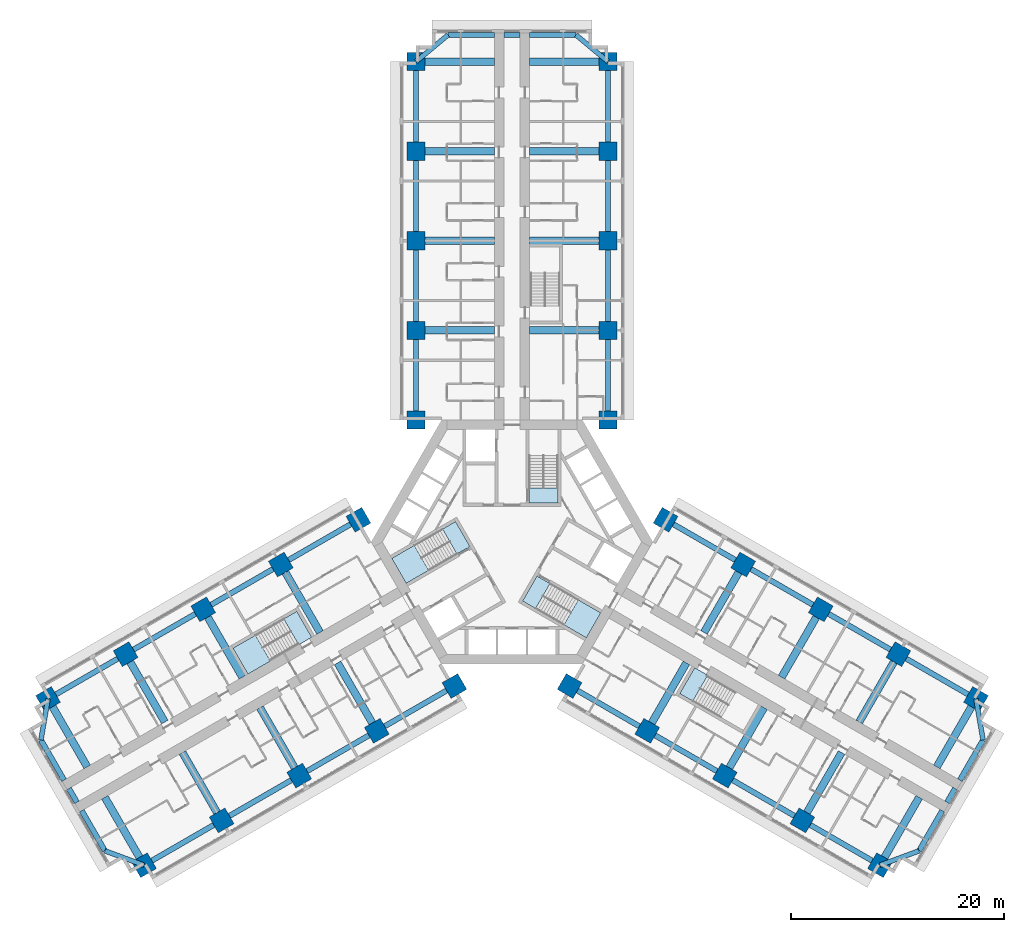
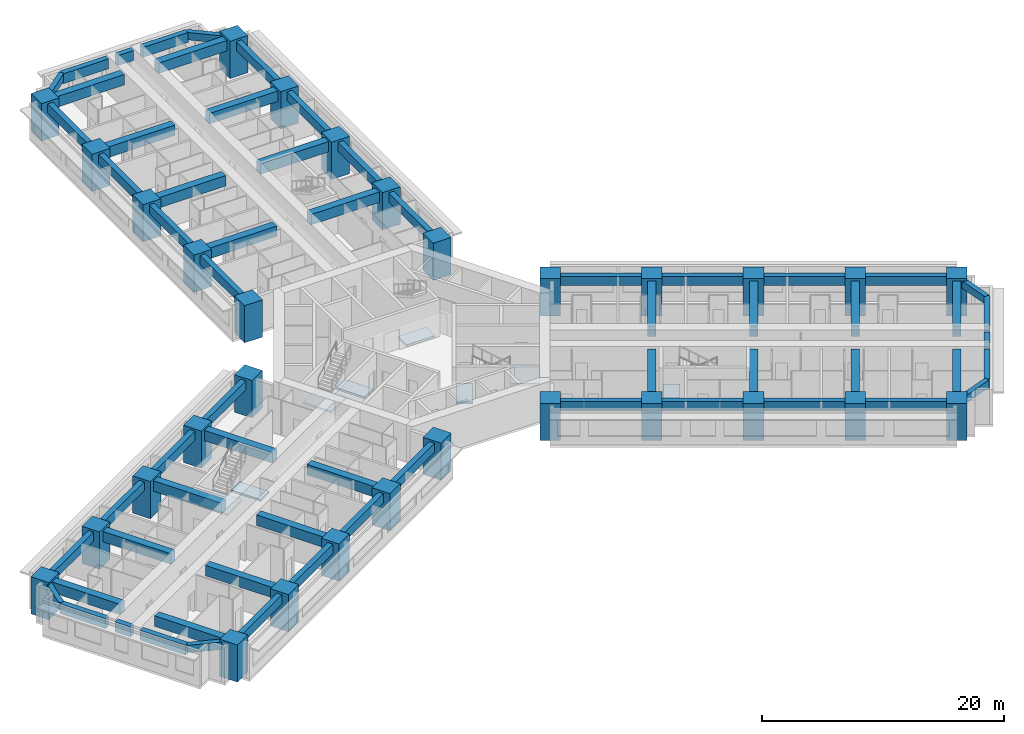
# One storey, part 1 of 17: 63 beams, 30 columns, 8 slabs, 5 elements without a shape of their own.
"""IFC4 building model written with IfcOpenShell, lengths in metres."""

from ifc_helpers import new_model, si_unit, direction, frame, origin, origin_2d, place, context, subcontext, project, spatial, polyline, rectangle, outline, extrude, material, layer, layer_set, material_profile, profile_set, type_object, element, aggregate, save


model = new_model("IFC4")

# Units and contexts
model_context = context("Model", 3, precision=1e-05, world=origin(), true_north=direction((0.0, 1.0)))
body_context = subcontext(model_context, "Body", "Model", "MODEL_VIEW")
ifc_project = project(units=[si_unit("LENGTHUNIT", "METRE"), si_unit("AREAUNIT", "SQUARE_METRE"), si_unit("VOLUMEUNIT", "CUBIC_METRE"), si_unit("PLANEANGLEUNIT", "RADIAN"), si_unit("MASSUNIT", "GRAM", prefix="KILO")], contexts=[model_context])

# Site, building, storey
site_placement = place(None, origin())
site = spatial("IfcSite", under=ifc_project, at=site_placement, CompositionType="ELEMENT")
building_placement = place(site_placement, origin())
building = spatial("IfcBuilding", under=site, at=building_placement, Name="Impinga Residences", CompositionType="ELEMENT")
storey_placement = place(building_placement, frame((0.0, 0.0, 33.5)))
storey = spatial("IfcBuildingStorey", under=building, at=storey_placement, Name="L07", CompositionType="ELEMENT", Elevation=33.5)

# Columns
ifc_material_1 = material(Name="Concrete C70/85", Category="concrete")
ifc_material_profile_1 = material_profile(ifc_material_1, rectangle(XDim=1.699951171875, YDim=1.699951171875, at=origin_2d()), Name="RC 1700x1700")
ifc_profile_set_1 = profile_set([ifc_material_profile_1], Name="Concrete C70/85")
column_type = type_object("IfcColumnType", Name="C10 1700x1700 column", PredefinedType="COLUMN", material=ifc_profile_set_1)
for number, where, z_axis, x_axis, name in (
    (1, (-9.0, 11.431640625, 0.0), (0.0, 0.0, 1.0), (1.0, 0.0, 0.0), "Column C10 N1/NA L07"),
    (2, (9.0, 11.431640625, 0.0), (0.0, 0.0, 1.0), (1.0, 0.0, 0.0), "Column C10 N1/NF L07"),
    (3, (-9.0, 19.83154296875, 0.0), (0.0, 0.0, 1.0), (1.0, 0.0, 0.0), "Column C10 N2/NA L07"),
    (4, (9.0, 19.83154296875, 0.0), (0.0, 0.0, 1.0), (1.0, 0.0, 0.0), "Column C10 N2/NF L07"),
    (5, (-9.0, 28.2314453125, 0.0), (0.0, 0.0, 1.0), (1.0, 0.0, 0.0), "Column C10 N3/NA L07"),
    (6, (9.0, 28.2314453125, 0.0), (0.0, 0.0, 1.0), (1.0, 0.0, 0.0), "Column C10 N3/NF L07"),
    (7, (-9.0, 36.631591796875, 0.0), (0.0, 0.0, 1.0), (1.0, 0.0, 0.0), "Column C10 N4/NA L07"),
    (8, (9.0, 36.631591796875, 0.0), (0.0, 0.0, 1.0), (1.0, 0.0, 0.0), "Column C10 N4/NF L07"),
    (9, (-9.0, 45.031494140625, 0.0), (0.0, 0.0, 1.0), (1.0, 0.0, 0.0), "Column C10 N5/NA L07"),
    (10, (9.0, 45.031494140625, 0.0), (0.0, 0.0, 1.0), (1.0, 0.0, 0.0), "Column C10 N5/NF L07"),
    (11, (-5.39990234375, -13.510009765625, 0.0), (0.0, 0.0, 1.0), (-0.5, 0.866025403784, 0.0), "Column C10 W1/WA L07"),
    (12, (-14.39990234375, 2.078369140625, 0.0), (0.0, 0.0, 1.0), (-0.5, 0.866025403784, 0.0), "Column C10 W1/WF L07"),
    (13, (-12.674560546875, -17.7099609375, 0.0), (0.0, 0.0, 1.0), (-0.5, 0.866025403784, 0.0), "Column C10 W2/WA L07"),
    (14, (-21.674560546875, -2.12158203125, 0.0), (0.0, 0.0, 1.0), (-0.5, 0.866025403784, 0.0), "Column C10 W2/WF L07"),
    (15, (-19.94921875, -21.909912109375, 0.0), (0.0, 0.0, 1.0), (-0.5, 0.866025403784, 0.0), "Column C10 W3/WA L07"),
    (16, (-28.94921875, -6.321533203125, 0.0), (0.0, 0.0, 1.0), (-0.5, 0.866025403784, 0.0), "Column C10 W3/WF L07"),
    (17, (-27.223876953125, -26.110107421875, 0.0), (0.0, 0.0, 1.0), (-0.5, 0.866025403784, 0.0), "Column C10 W4/WA L07"),
    (18, (-36.223876953125, -10.521484375, 0.0), (0.0, 0.0, 1.0), (-0.5, 0.866025403784, 0.0), "Column C10 W4/WF L07"),
    (19, (-34.49853515625, -30.31005859375, 0.0), (0.0, 0.0, 1.0), (-0.5, 0.866025403784, 0.0), "Column C10 W5/WA L07"),
    (20, (-43.49853515625, -14.721435546875, 0.0), (0.0, 0.0, 1.0), (-0.5, 0.866025403784, 0.0), "Column C10 W5/WF L07"),
    (21, (14.39990234375, 2.078369140625, 0.0), (0.0, 0.0, 1.0), (-0.5, -0.866025403784, 0.0), "Column C10 E1/EA L07"),
    (22, (5.39990234375, -13.510009765625, 0.0), (0.0, 0.0, 1.0), (-0.5, -0.866025403784, 0.0), "Column C10 E1/EF L07"),
    (23, (21.674560546875, -2.12158203125, 0.0), (0.0, 0.0, 1.0), (-0.5, -0.866025403784, 0.0), "Column C10 E2/EA L07"),
    (24, (12.674560546875, -17.7099609375, 0.0), (0.0, 0.0, 1.0), (-0.5, -0.866025403784, 0.0), "Column C10 E2/EF L07"),
    (25, (28.94921875, -6.321533203125, 0.0), (0.0, 0.0, 1.0), (-0.5, -0.866025403784, 0.0), "Column C10 E3/EA L07"),
    (26, (19.94921875, -21.909912109375, 0.0), (0.0, 0.0, 1.0), (-0.5, -0.866025403784, 0.0), "Column C10 E3/EF L07"),
    (27, (36.223876953125, -10.521484375, 0.0), (0.0, 0.0, 1.0), (-0.5, -0.866025403784, 0.0), "Column C10 E4/EA L07"),
    (28, (27.223876953125, -26.110107421875, 0.0), (0.0, 0.0, 1.0), (-0.5, -0.866025403784, 0.0), "Column C10 E4/EF L07"),
    (29, (43.49853515625, -14.721435546875, 0.0), (0.0, 0.0, 1.0), (-0.5, -0.866025403784, 0.0), "Column C10 E5/EA L07"),
    (30, (34.49853515625, -30.31005859375, 0.0), (0.0, 0.0, 1.0), (-0.5, -0.866025403784, 0.0), "Column C10 E5/EF L07"),
):
    element("IfcColumn", number, at=place(storey_placement, frame(where, z_axis=z_axis, x_axis=x_axis)), inside=storey, type_object=column_type, Name=name, PredefinedType="COLUMN", context=body_context, shape_type="SweptSolid", body=[
        extrude(rectangle(XDim=1.699951171875, YDim=1.699951171875, at=origin_2d()), origin(), (0.0, 0.0, 1.0), 3.75),
    ])

# Beams
ifc_material_2 = material(Name="Concrete C60/75", Category="concrete")
ifc_material_profile_2 = material_profile(ifc_material_2, rectangle(XDim=0.449951171875, YDim=0.75, at=origin_2d()), Name="RC 450x750")
ifc_profile_set_2 = profile_set([ifc_material_profile_2], Name="Concrete C60/75")
beam_type_1 = type_object("IfcBeamType", Name="CB1 450x750 wing end cantilever beam", PredefinedType="BEAM", material=ifc_profile_set_2)
for number, where, z_axis, x_axis, name in (
    (31, (-9.0, 45.031494140625, 3.155029296875), (0.768221279597, 0.640184399664, 0.0), (-0.640184399664, 0.768221279597, 0.0), "Beam CB1 NB N5-NX level L08"),
    (32, (9.0, 45.031494140625, 3.155029296875), (-0.768221279597, 0.640184399664, 0.0), (-0.640184399664, -0.768221279597, 0.0), "Beam CB1 NE N5-NX level L08"),
    (33, (-34.49853515625, -30.31005859375, 3.155029296875), (-0.938520178725, 0.345224382289, 0.0), (-0.345224382289, -0.938520178725, 0.0), "Beam CB1 WB W5-WX level L08"),
):
    element("IfcBeam", number, at=place(storey_placement, frame(where, z_axis=z_axis, x_axis=x_axis)), inside=storey, type_object=beam_type_1, Name=name, PredefinedType="BEAM", context=body_context, shape_type="SweptSolid", body=[
        extrude(rectangle(XDim=0.449951171875, YDim=0.75, at=origin_2d()), origin(), (0.0, 0.0, 1.0), 3.905029296875),
    ])
for number, where, z_axis, x_axis, name in (
    (34, (-43.49853515625, -14.721435546875, 3.155029296875), (-0.170296298948, -0.985392901621, 0.0), (0.985392901621, -0.170296298948, 0.0), "Beam CB1 WE W5-WX level L08"),
    (35, (43.49853515625, -14.721435546875, 3.155029296875), (0.170296298948, -0.985392901621, 0.0), (0.985392901621, 0.170296298948, 0.0), "Beam CB1 EB E5-EX level L08"),
):
    element("IfcBeam", number, at=place(storey_placement, frame(where, z_axis=z_axis, x_axis=x_axis)), inside=storey, type_object=beam_type_1, Name=name, PredefinedType="BEAM", context=body_context, shape_type="SweptSolid", body=[
        extrude(rectangle(XDim=0.449951171875, YDim=0.75, at=origin_2d()), origin(), (0.0, 0.0, 1.0), 3.9052734375),
    ])
beam_1_placement = place(storey_placement, frame((34.49853515625, -30.31005859375, 3.155029296875), z_axis=(0.938520178725, 0.345224382289, 0.0), x_axis=(-0.345224382289, 0.938520178725, 0.0)))
element("IfcBeam", 36, at=beam_1_placement, inside=storey, type_object=beam_type_1, Name="Beam CB1 EE E5-EX level L08", PredefinedType="BEAM", context=body_context, shape_type="SweptSolid", body=[
    extrude(rectangle(XDim=0.449951171875, YDim=0.75, at=origin_2d()), origin(), (0.0, 0.0, 1.0), 3.905029296875),
])
ifc_material_profile_3 = material_profile(ifc_material_2, rectangle(XDim=0.699951171875, YDim=1.050048828125, at=origin_2d()), Name="RC 700x1050")
ifc_profile_set_3 = profile_set([ifc_material_profile_3], Name="Concrete C60/75")
beam_type_2 = type_object("IfcBeamType", Name="CG1 700x1050 cross girder on a wing bay line", PredefinedType="BEAM", material=ifc_profile_set_3)
for number, where, z_axis, x_axis, name in (
    (37, (-1.64990234375, 19.83154296875, 3.0048828125), (-1.0, 0.0, 0.0), (0.0, -1.0, 0.0), "Beam CG1 N2 NC/NA level L08"),
    (38, (-1.64990234375, 28.2314453125, 3.0048828125), (-1.0, 0.0, 0.0), (0.0, -1.0, 0.0), "Beam CG1 N3 NC/NA level L08"),
    (39, (-1.64990234375, 36.631591796875, 3.0048828125), (-1.0, 0.0, 0.0), (0.0, -1.0, 0.0), "Beam CG1 N4 NC/NA level L08"),
    (40, (-1.64990234375, 45.031494140625, 3.0048828125), (-1.0, 0.0, 0.0), (0.0, -1.0, 0.0), "Beam CG1 N5 NC/NA level L08"),
    (41, (1.64990234375, 19.83154296875, 3.0048828125), (1.0, 0.0, 0.0), (0.0, 1.0, 0.0), "Beam CG1 N2 NC/NF level L08"),
    (42, (1.64990234375, 28.2314453125, 3.0048828125), (1.0, 0.0, 0.0), (0.0, 1.0, 0.0), "Beam CG1 N3 NC/NF level L08"),
    (43, (1.64990234375, 36.631591796875, 3.0048828125), (1.0, 0.0, 0.0), (0.0, 1.0, 0.0), "Beam CG1 N4 NC/NF level L08"),
    (44, (1.64990234375, 45.031494140625, 3.0048828125), (1.0, 0.0, 0.0), (0.0, 1.0, 0.0), "Beam CG1 N5 NC/NF level L08"),
    (45, (-16.349609375, -11.3447265625, 3.0048828125), (0.500008066151, -0.86602074674, 0.0), (0.86602074674, 0.500008066151, 0.0), "Beam CG1 W2 WC/WA level L08"),
    (46, (-23.624267578125, -15.544677734375, 3.0048828125), (0.500008066151, -0.86602074674, 0.0), (0.86602074674, 0.500008066151, 0.0), "Beam CG1 W3 WC/WA level L08"),
    (47, (-30.89892578125, -19.74462890625, 3.0048828125), (0.499993683172, -0.866029050776, 0.0), (0.866029050776, 0.499993683172, 0.0), "Beam CG1 W4 WC/WA level L08"),
):
    element("IfcBeam", number, at=place(storey_placement, frame(where, z_axis=z_axis, x_axis=x_axis)), inside=storey, type_object=beam_type_2, Name=name, PredefinedType="BEAM", context=body_context, shape_type="SweptSolid", body=[
        extrude(rectangle(XDim=0.699951171875, YDim=1.050048828125, at=origin_2d()), origin(), (0.0, 0.0, 1.0), 7.35009765625),
    ])
beam_2_placement = place(storey_placement, frame((-38.17333984375, -23.94482421875, 3.0048828125), z_axis=(0.499983153418, -0.866035129944, 0.0), x_axis=(0.866035129944, 0.499983153418, 0.0)))
element("IfcBeam", 48, at=beam_2_placement, inside=storey, type_object=beam_type_2, Name="Beam CG1 W5 WC/WA level L08", PredefinedType="BEAM", context=body_context, shape_type="SweptSolid", body=[
    extrude(rectangle(XDim=0.699951171875, YDim=1.050048828125, at=origin_2d()), origin(), (0.0, 0.0, 1.0), 7.349853515625),
])
for number, where, z_axis, x_axis, name in (
    (49, (-17.99951171875, -8.48681640625, 3.0048828125), (-0.500008066151, 0.86602074674, 0.0), (-0.86602074674, -0.500008066151, 0.0), "Beam CG1 W2 WC/WF level L08"),
    (50, (-25.274169921875, -12.686767578125, 3.0048828125), (-0.500008066151, 0.86602074674, 0.0), (-0.86602074674, -0.500008066151, 0.0), "Beam CG1 W3 WC/WF level L08"),
    (51, (-32.548828125, -16.88671875, 3.0048828125), (-0.500008066151, 0.86602074674, 0.0), (-0.86602074674, -0.500008066151, 0.0), "Beam CG1 W4 WC/WF level L08"),
    (52, (-39.823486328125, -21.0869140625, 3.0048828125), (-0.499993683172, 0.866029050776, 0.0), (-0.866029050776, -0.499993683172, 0.0), "Beam CG1 W5 WC/WF level L08"),
    (53, (17.99951171875, -8.48681640625, 3.0048828125), (0.500008066151, 0.86602074674, 0.0), (-0.86602074674, 0.500008066151, 0.0), "Beam CG1 E2 EC/EA level L08"),
    (54, (25.274169921875, -12.686767578125, 3.0048828125), (0.500008066151, 0.86602074674, 0.0), (-0.86602074674, 0.500008066151, 0.0), "Beam CG1 E3 EC/EA level L08"),
    (55, (32.548828125, -16.88671875, 3.0048828125), (0.500008066151, 0.86602074674, 0.0), (-0.86602074674, 0.500008066151, 0.0), "Beam CG1 E4 EC/EA level L08"),
    (56, (39.823486328125, -21.0869140625, 3.0048828125), (0.499993683172, 0.866029050776, 0.0), (-0.866029050776, 0.499993683172, 0.0), "Beam CG1 E5 EC/EA level L08"),
    (57, (16.349609375, -11.3447265625, 3.0048828125), (-0.500008066151, -0.86602074674, 0.0), (0.86602074674, -0.500008066151, 0.0), "Beam CG1 E2 EC/EF level L08"),
    (58, (23.624267578125, -15.544677734375, 3.0048828125), (-0.500008066151, -0.86602074674, 0.0), (0.86602074674, -0.500008066151, 0.0), "Beam CG1 E3 EC/EF level L08"),
    (59, (30.89892578125, -19.74462890625, 3.0048828125), (-0.499993683172, -0.866029050776, 0.0), (0.866029050776, -0.499993683172, 0.0), "Beam CG1 E4 EC/EF level L08"),
):
    element("IfcBeam", number, at=place(storey_placement, frame(where, z_axis=z_axis, x_axis=x_axis)), inside=storey, type_object=beam_type_2, Name=name, PredefinedType="BEAM", context=body_context, shape_type="SweptSolid", body=[
        extrude(rectangle(XDim=0.699951171875, YDim=1.050048828125, at=origin_2d()), origin(), (0.0, 0.0, 1.0), 7.35009765625),
    ])
beam_3_placement = place(storey_placement, frame((38.17333984375, -23.94482421875, 3.0048828125), z_axis=(-0.499983153418, -0.866035129944, 0.0), x_axis=(0.866035129944, -0.499983153418, 0.0)))
element("IfcBeam", 60, at=beam_3_placement, inside=storey, type_object=beam_type_2, Name="Beam CG1 E5 EC/EF level L08", PredefinedType="BEAM", context=body_context, shape_type="SweptSolid", body=[
    extrude(rectangle(XDim=0.699951171875, YDim=1.050048828125, at=origin_2d()), origin(), (0.0, 0.0, 1.0), 7.349853515625),
])
ifc_material_profile_4 = material_profile(ifc_material_2, rectangle(XDim=0.5, YDim=1.0, at=origin_2d()), Name="RC 500x1000")
ifc_profile_set_4 = profile_set([ifc_material_profile_4], Name="Concrete C60/75")
beam_type_3 = type_object("IfcBeamType", Name="EB1 500x1000 wing end beam", PredefinedType="BEAM", material=ifc_profile_set_4)
beam_4_placement = place(storey_placement, frame((-6.0, 47.531494140625, 3.030029296875), z_axis=(1.0, 0.0, 0.0), x_axis=(0.0, 1.0, 0.0)))
element("IfcBeam", 61, at=beam_4_placement, inside=storey, type_object=beam_type_3, Name="Beam EB1 NX4 level L08", PredefinedType="BEAM", context=body_context, shape_type="SweptSolid", body=[
    extrude(rectangle(XDim=0.5, YDim=1.0, at=origin_2d()), origin(), (0.0, 0.0, 1.0), 4.35009765625),
])
beam_5_placement = place(storey_placement, frame((-0.75, 47.531494140625, 3.030029296875), z_axis=(1.0, 0.0, 0.0), x_axis=(0.0, 1.0, 0.0)))
element("IfcBeam", 62, at=beam_5_placement, inside=storey, type_object=beam_type_3, Name="Beam EB1 NX4 level L08", PredefinedType="BEAM", context=body_context, shape_type="SweptSolid", body=[
    extrude(rectangle(XDim=0.5, YDim=1.0, at=origin_2d()), origin(), (0.0, 0.0, 1.0), 1.5),
])
beam_6_placement = place(storey_placement, frame((1.64990234375, 47.531494140625, 3.030029296875), z_axis=(1.0, 0.0, 0.0), x_axis=(0.0, 1.0, 0.0)))
element("IfcBeam", 63, at=beam_6_placement, inside=storey, type_object=beam_type_3, Name="Beam EB1 NX4 level L08", PredefinedType="BEAM", context=body_context, shape_type="SweptSolid", body=[
    extrude(rectangle(XDim=0.5, YDim=1.0, at=origin_2d()), origin(), (0.0, 0.0, 1.0), 4.35009765625),
])
beam_7_placement = place(storey_placement, frame((-38.16357421875, -28.9619140625, 3.030029296875), z_axis=(-0.500020430026, 0.866013608182, 0.0), x_axis=(-0.866013608182, -0.500020430026, 0.0)))
element("IfcBeam", 64, at=beam_7_placement, inside=storey, type_object=beam_type_3, Name="Beam EB1 WX4 level L08", PredefinedType="BEAM", context=body_context, shape_type="SweptSolid", body=[
    extrude(rectangle(XDim=0.5, YDim=1.0, at=origin_2d()), origin(), (0.0, 0.0, 1.0), 4.349853515625),
])
beam_8_placement = place(storey_placement, frame((-40.78857421875, -24.415283203125, 3.030029296875), z_axis=(-0.499990139034, 0.866031096941, 0.0), x_axis=(-0.866031096941, -0.499990139034, 0.0)))
element("IfcBeam", 65, at=beam_8_placement, inside=storey, type_object=beam_type_3, Name="Beam EB1 WX4 level L08", PredefinedType="BEAM", context=body_context, shape_type="SweptSolid", body=[
    extrude(rectangle(XDim=0.5, YDim=1.0, at=origin_2d()), origin(), (0.0, 0.0, 1.0), 1.5),
])
for number, where, z_axis, x_axis, name in (
    (66, (-41.988525390625, -22.3369140625, 3.030029296875), (-0.499996127374, 0.866027639635, 0.0), (-0.866027639635, -0.499996127374, 0.0), "Beam EB1 WX4 level L08"),
    (67, (44.16357421875, -18.569580078125, 3.030029296875), (-0.499996127374, -0.866027639635, 0.0), (0.866027639635, -0.499996127374, 0.0), "Beam EB1 EX4 level L08"),
):
    element("IfcBeam", number, at=place(storey_placement, frame(where, z_axis=z_axis, x_axis=x_axis)), inside=storey, type_object=beam_type_3, Name=name, PredefinedType="BEAM", context=body_context, shape_type="SweptSolid", body=[
        extrude(rectangle(XDim=0.5, YDim=1.0, at=origin_2d()), origin(), (0.0, 0.0, 1.0), 4.35009765625),
    ])
beam_9_placement = place(storey_placement, frame((41.53857421875, -23.1162109375, 3.030029296875), z_axis=(-0.499990139034, -0.866031096941, 0.0), x_axis=(0.866031096941, -0.499990139034, 0.0)))
element("IfcBeam", 68, at=beam_9_placement, inside=storey, type_object=beam_type_3, Name="Beam EB1 EX4 level L08", PredefinedType="BEAM", context=body_context, shape_type="SweptSolid", body=[
    extrude(rectangle(XDim=0.5, YDim=1.0, at=origin_2d()), origin(), (0.0, 0.0, 1.0), 1.5),
])
beam_10_placement = place(storey_placement, frame((40.338623046875, -25.19482421875, 3.030029296875), z_axis=(-0.500020430026, -0.866013608182, 0.0), x_axis=(0.866013608182, -0.500020430026, 0.0)))
element("IfcBeam", 69, at=beam_10_placement, inside=storey, type_object=beam_type_3, Name="Beam EB1 EX4 level L08", PredefinedType="BEAM", context=body_context, shape_type="SweptSolid", body=[
    extrude(rectangle(XDim=0.5, YDim=1.0, at=origin_2d()), origin(), (0.0, 0.0, 1.0), 4.349853515625),
])
ifc_material_profile_5 = material_profile(ifc_material_2, rectangle(XDim=0.5, YDim=0.89990234375, at=origin_2d()), Name="RC 500x900")
ifc_profile_set_5 = profile_set([ifc_material_profile_5], Name="Concrete C60/75")
beam_type_4 = type_object("IfcBeamType", Name="SB1 500x900 perimeter spandrel beam", PredefinedType="SPANDREL", material=ifc_profile_set_5)
for number, where, z_axis, x_axis, name in (
    (70, (-9.0, 11.431640625, 3.080078125), (0.0, 1.0, 0.0), (-1.0, 0.0, 0.0), "Beam SB1 NA N1-N2 level L08"),
    (71, (-9.0, 19.83154296875, 3.080078125), (0.0, 1.0, 0.0), (-1.0, 0.0, 0.0), "Beam SB1 NA N2-N3 level L08"),
):
    element("IfcBeam", number, at=place(storey_placement, frame(where, z_axis=z_axis, x_axis=x_axis)), inside=storey, type_object=beam_type_4, Name=name, PredefinedType="SPANDREL", context=body_context, shape_type="SweptSolid", body=[
        extrude(rectangle(XDim=0.5, YDim=0.89990234375, at=origin_2d()), origin(), (0.0, 0.0, 1.0), 8.39990234375),
    ])
beam_11_placement = place(storey_placement, frame((-9.0, 28.2314453125, 3.080078125), z_axis=(0.0, 1.0, 0.0), x_axis=(-1.0, 0.0, 0.0)))
element("IfcBeam", 72, at=beam_11_placement, inside=storey, type_object=beam_type_4, Name="Beam SB1 NA N3-N4 level L08", PredefinedType="SPANDREL", context=body_context, shape_type="SweptSolid", body=[
    extrude(rectangle(XDim=0.5, YDim=0.89990234375, at=origin_2d()), origin(), (0.0, 0.0, 1.0), 8.400146484375),
])
for number, where, z_axis, x_axis, name in (
    (73, (-9.0, 36.631591796875, 3.080078125), (0.0, 1.0, 0.0), (-1.0, 0.0, 0.0), "Beam SB1 NA N4-N5 level L08"),
    (74, (9.0, 11.431640625, 3.080078125), (0.0, 1.0, 0.0), (-1.0, 0.0, 0.0), "Beam SB1 NF N1-N2 level L08"),
    (75, (9.0, 19.83154296875, 3.080078125), (0.0, 1.0, 0.0), (-1.0, 0.0, 0.0), "Beam SB1 NF N2-N3 level L08"),
):
    element("IfcBeam", number, at=place(storey_placement, frame(where, z_axis=z_axis, x_axis=x_axis)), inside=storey, type_object=beam_type_4, Name=name, PredefinedType="SPANDREL", context=body_context, shape_type="SweptSolid", body=[
        extrude(rectangle(XDim=0.5, YDim=0.89990234375, at=origin_2d()), origin(), (0.0, 0.0, 1.0), 8.39990234375),
    ])
beam_12_placement = place(storey_placement, frame((9.0, 28.2314453125, 3.080078125), z_axis=(0.0, 1.0, 0.0), x_axis=(-1.0, 0.0, 0.0)))
element("IfcBeam", 76, at=beam_12_placement, inside=storey, type_object=beam_type_4, Name="Beam SB1 NF N3-N4 level L08", PredefinedType="SPANDREL", context=body_context, shape_type="SweptSolid", body=[
    extrude(rectangle(XDim=0.5, YDim=0.89990234375, at=origin_2d()), origin(), (0.0, 0.0, 1.0), 8.400146484375),
])
for number, where, z_axis, x_axis, name in (
    (77, (9.0, 36.631591796875, 3.080078125), (0.0, 1.0, 0.0), (-1.0, 0.0, 0.0), "Beam SB1 NF N4-N5 level L08"),
    (78, (-5.39990234375, -13.510009765625, 3.080078125), (-0.86602925447, -0.499993330357, 0.0), (0.499993330357, -0.86602925447, 0.0), "Beam SB1 WA W1-W2 level L08"),
    (79, (-12.674560546875, -17.7099609375, 3.080078125), (-0.86602925447, -0.499993330357, 0.0), (0.499993330357, -0.86602925447, 0.0), "Beam SB1 WA W2-W3 level L08"),
):
    element("IfcBeam", number, at=place(storey_placement, frame(where, z_axis=z_axis, x_axis=x_axis)), inside=storey, type_object=beam_type_4, Name=name, PredefinedType="SPANDREL", context=body_context, shape_type="SweptSolid", body=[
        extrude(rectangle(XDim=0.5, YDim=0.89990234375, at=origin_2d()), origin(), (0.0, 0.0, 1.0), 8.39990234375),
    ])
beam_13_placement = place(storey_placement, frame((-19.94921875, -21.909912109375, 3.080078125), z_axis=(-0.866016669275, -0.500015128309, 0.0), x_axis=(0.500015128309, -0.866016669275, 0.0)))
element("IfcBeam", 80, at=beam_13_placement, inside=storey, type_object=beam_type_4, Name="Beam SB1 WA W3-W4 level L08", PredefinedType="SPANDREL", context=body_context, shape_type="SweptSolid", body=[
    extrude(rectangle(XDim=0.5, YDim=0.89990234375, at=origin_2d()), origin(), (0.0, 0.0, 1.0), 8.400146484375),
])
for number, where, z_axis, x_axis, name in (
    (81, (-27.223876953125, -26.110107421875, 3.080078125), (-0.86602925447, -0.499993330357, 0.0), (0.499993330357, -0.86602925447, 0.0), "Beam SB1 WA W4-W5 level L08"),
    (82, (-14.39990234375, 2.078369140625, 3.080078125), (-0.86602925447, -0.499993330357, 0.0), (0.499993330357, -0.86602925447, 0.0), "Beam SB1 WF W1-W2 level L08"),
    (83, (-21.674560546875, -2.12158203125, 3.080078125), (-0.86602925447, -0.499993330357, 0.0), (0.499993330357, -0.86602925447, 0.0), "Beam SB1 WF W2-W3 level L08"),
    (84, (-28.94921875, -6.321533203125, 3.080078125), (-0.86602925447, -0.499993330357, 0.0), (0.499993330357, -0.86602925447, 0.0), "Beam SB1 WF W3-W4 level L08"),
    (85, (-36.223876953125, -10.521484375, 3.080078125), (-0.86602925447, -0.499993330357, 0.0), (0.499993330357, -0.86602925447, 0.0), "Beam SB1 WF W4-W5 level L08"),
    (86, (14.39990234375, 2.078369140625, 3.080078125), (0.86602925447, -0.499993330357, 0.0), (0.499993330357, 0.86602925447, 0.0), "Beam SB1 EA E1-E2 level L08"),
    (87, (21.674560546875, -2.12158203125, 3.080078125), (0.86602925447, -0.499993330357, 0.0), (0.499993330357, 0.86602925447, 0.0), "Beam SB1 EA E2-E3 level L08"),
    (88, (28.94921875, -6.321533203125, 3.080078125), (0.86602925447, -0.499993330357, 0.0), (0.499993330357, 0.86602925447, 0.0), "Beam SB1 EA E3-E4 level L08"),
    (89, (36.223876953125, -10.521484375, 3.080078125), (0.86602925447, -0.499993330357, 0.0), (0.499993330357, 0.86602925447, 0.0), "Beam SB1 EA E4-E5 level L08"),
    (90, (5.39990234375, -13.510009765625, 3.080078125), (0.86602925447, -0.499993330357, 0.0), (0.499993330357, 0.86602925447, 0.0), "Beam SB1 EF E1-E2 level L08"),
    (91, (12.674560546875, -17.7099609375, 3.080078125), (0.86602925447, -0.499993330357, 0.0), (0.499993330357, 0.86602925447, 0.0), "Beam SB1 EF E2-E3 level L08"),
):
    element("IfcBeam", number, at=place(storey_placement, frame(where, z_axis=z_axis, x_axis=x_axis)), inside=storey, type_object=beam_type_4, Name=name, PredefinedType="SPANDREL", context=body_context, shape_type="SweptSolid", body=[
        extrude(rectangle(XDim=0.5, YDim=0.89990234375, at=origin_2d()), origin(), (0.0, 0.0, 1.0), 8.39990234375),
    ])
beam_14_placement = place(storey_placement, frame((19.94921875, -21.909912109375, 3.080078125), z_axis=(0.866016669275, -0.500015128309, 0.0), x_axis=(0.500015128309, 0.866016669275, 0.0)))
element("IfcBeam", 92, at=beam_14_placement, inside=storey, type_object=beam_type_4, Name="Beam SB1 EF E3-E4 level L08", PredefinedType="SPANDREL", context=body_context, shape_type="SweptSolid", body=[
    extrude(rectangle(XDim=0.5, YDim=0.89990234375, at=origin_2d()), origin(), (0.0, 0.0, 1.0), 8.400146484375),
])
beam_15_placement = place(storey_placement, frame((27.223876953125, -26.110107421875, 3.080078125), z_axis=(0.86602925447, -0.499993330357, 0.0), x_axis=(0.499993330357, 0.86602925447, 0.0)))
element("IfcBeam", 93, at=beam_15_placement, inside=storey, type_object=beam_type_4, Name="Beam SB1 EF E4-E5 level L08", PredefinedType="SPANDREL", context=body_context, shape_type="SweptSolid", body=[
    extrude(rectangle(XDim=0.5, YDim=0.89990234375, at=origin_2d()), origin(), (0.0, 0.0, 1.0), 8.39990234375),
])

# Stair, slab
ifc_material_3 = material(Name="Concrete C40/50", Category="concrete")
stair_type_1 = type_object("IfcStairType", Name="STR core stair 3750 storey, 24 risers", PredefinedType="HALF_TURN_STAIR", material=ifc_material_3)
stair_1_placement = place(storey_placement, origin())
stair_1 = element("IfcStair", 94, at=stair_1_placement, inside=storey, type_object=stair_type_1, Name="Stair ST1 L07", PredefinedType="HALF_TURN_STAIR")
ifc_layer = layer(ifc_material_3, 0.199951171875)
ifc_layer_set = layer_set([ifc_layer], Name="Concrete C40/50")
slab_type = type_object("IfcSlabType", Name="LS1 stair landing 200", PredefinedType="LANDING", material=ifc_layer_set)
slab_1_placement = place(storey_placement, frame((0.0, 0.0, -0.199951171875)))
slab_1 = element("IfcSlab", 95, at=slab_1_placement, type_object=slab_type, Name="ST1 landing 1", PredefinedType="LANDING", context=body_context, shape_type="SweptSolid", body=[
    extrude(outline(polyline([(1.60009765625, 3.6298828125), (4.300048828125, 3.6298828125), (4.300048828125, 5.0400390625), (1.60009765625, 5.0400390625), (1.60009765625, 3.6298828125)])), origin(), (0.0, 0.0, 1.0), 0.199951171875),
])
aggregate(stair_1, [slab_1])

# Stair, slabs
stair_2_placement = place(storey_placement, origin())
stair_2 = element("IfcStair", 96, at=stair_2_placement, inside=storey, type_object=stair_type_1, Name="Stair ST2 L07", PredefinedType="HALF_TURN_STAIR")
slab_2_placement = place(storey_placement, frame((0.0, 0.0, -0.199951171875)))
slab_2 = element("IfcSlab", 97, at=slab_2_placement, type_object=slab_type, Name="ST2 landing 1", PredefinedType="LANDING", context=body_context, shape_type="SweptSolid", body=[
    extrude(outline(polyline([(-3.943603515625, -0.429443359375), (-5.293701171875, 1.908935546875), (-6.5146484375, 1.203857421875), (-5.164794921875, -1.13427734375), (-3.943603515625, -0.429443359375)])), origin(), (0.0, 0.0, 1.0), 0.199951171875),
])
slab_3_placement = place(storey_placement, frame((0.0, 0.0, 1.675048828125)))
slab_3 = element("IfcSlab", 98, at=slab_3_placement, type_object=slab_type, Name="ST2 landing 2", PredefinedType="LANDING", context=body_context, shape_type="SweptSolid", body=[
    extrude(outline(polyline([(-7.814697265625, -2.664306640625), (-9.164794921875, -0.326171875), (-11.2705078125, -1.541748046875), (-9.920654296875, -3.880126953125), (-7.814697265625, -2.664306640625)])), origin(), (0.0, 0.0, 1.0), 0.199951171875),
])
aggregate(stair_2, [slab_2, slab_3])

stair_3_placement = place(storey_placement, origin())
stair_3 = element("IfcStair", 99, at=stair_3_placement, inside=storey, type_object=stair_type_1, Name="Stair ST3 L07", PredefinedType="HALF_TURN_STAIR")
slab_4_placement = place(storey_placement, frame((0.0, 0.0, -0.199951171875)))
slab_4 = element("IfcSlab", 100, at=slab_4_placement, type_object=slab_type, Name="ST3 landing 1", PredefinedType="LANDING", context=body_context, shape_type="SweptSolid", body=[
    extrude(outline(polyline([(2.34375, -3.20068359375), (0.99365234375, -5.538818359375), (2.21484375, -6.243896484375), (3.564697265625, -3.90576171875), (2.34375, -3.20068359375)])), origin(), (0.0, 0.0, 1.0), 0.199951171875),
])
slab_5_placement = place(storey_placement, frame((0.0, 0.0, 1.675048828125)))
slab_5 = element("IfcSlab", 101, at=slab_5_placement, type_object=slab_type, Name="ST3 landing 2", PredefinedType="LANDING", context=body_context, shape_type="SweptSolid", body=[
    extrude(outline(polyline([(6.21484375, -5.435546875), (4.86474609375, -7.77392578125), (6.970458984375, -8.98974609375), (8.320556640625, -6.6513671875), (6.21484375, -5.435546875)])), origin(), (0.0, 0.0, 1.0), 0.199951171875),
])
aggregate(stair_3, [slab_4, slab_5])

stair_type_2 = type_object("IfcStairType", Name="STR wing stair 3750 storey, 24 risers", PredefinedType="HALF_TURN_STAIR", material=ifc_material_3)
stair_4_placement = place(storey_placement, origin())
stair_4 = element("IfcStair", 102, at=stair_4_placement, inside=storey, type_object=stair_type_2, Name="Stair WS2 L07", PredefinedType="HALF_TURN_STAIR")
slab_6_placement = place(storey_placement, frame((0.0, 0.0, -0.199951171875)))
slab_6 = element("IfcSlab", 103, at=slab_6_placement, type_object=slab_type, Name="WS2 landing 1", PredefinedType="LANDING", context=body_context, shape_type="SweptSolid", body=[
    extrude(outline(polyline([(-18.779052734375, -8.936767578125), (-20.178955078125, -6.511962890625), (-21.400146484375, -7.217041015625), (-20.000244140625, -9.641845703125), (-18.779052734375, -8.936767578125)])), origin(), (0.0, 0.0, 1.0), 0.199951171875),
])
slab_7_placement = place(storey_placement, frame((0.0, 0.0, 1.675048828125)))
slab_7 = element("IfcSlab", 104, at=slab_7_placement, type_object=slab_type, Name="WS2 landing 2", PredefinedType="LANDING", context=body_context, shape_type="SweptSolid", body=[
    extrude(outline(polyline([(-22.650146484375, -11.171875), (-24.050048828125, -8.7470703125), (-26.154541015625, -9.9619140625), (-24.754638671875, -12.38671875), (-22.650146484375, -11.171875)])), origin(), (0.0, 0.0, 1.0), 0.199951171875),
])
aggregate(stair_4, [slab_6, slab_7])

# Stair, slab
stair_5_placement = place(storey_placement, origin())
stair_5 = element("IfcStair", 105, at=stair_5_placement, inside=storey, type_object=stair_type_2, Name="Stair WS3 L07", PredefinedType="HALF_TURN_STAIR")
slab_8_placement = place(storey_placement, frame((0.0, 0.0, -0.199951171875)))
slab_8 = element("IfcSlab", 106, at=slab_8_placement, type_object=slab_type, Name="WS3 landing 1", PredefinedType="LANDING", context=body_context, shape_type="SweptSolid", body=[
    extrude(outline(polyline([(17.129150390625, -11.794677734375), (15.72900390625, -14.219482421875), (16.9501953125, -14.924560546875), (18.35009765625, -12.499755859375), (17.129150390625, -11.794677734375)])), origin(), (0.0, 0.0, 1.0), 0.199951171875),
])
aggregate(stair_5, [slab_8])

save(model, "model.ifc")
